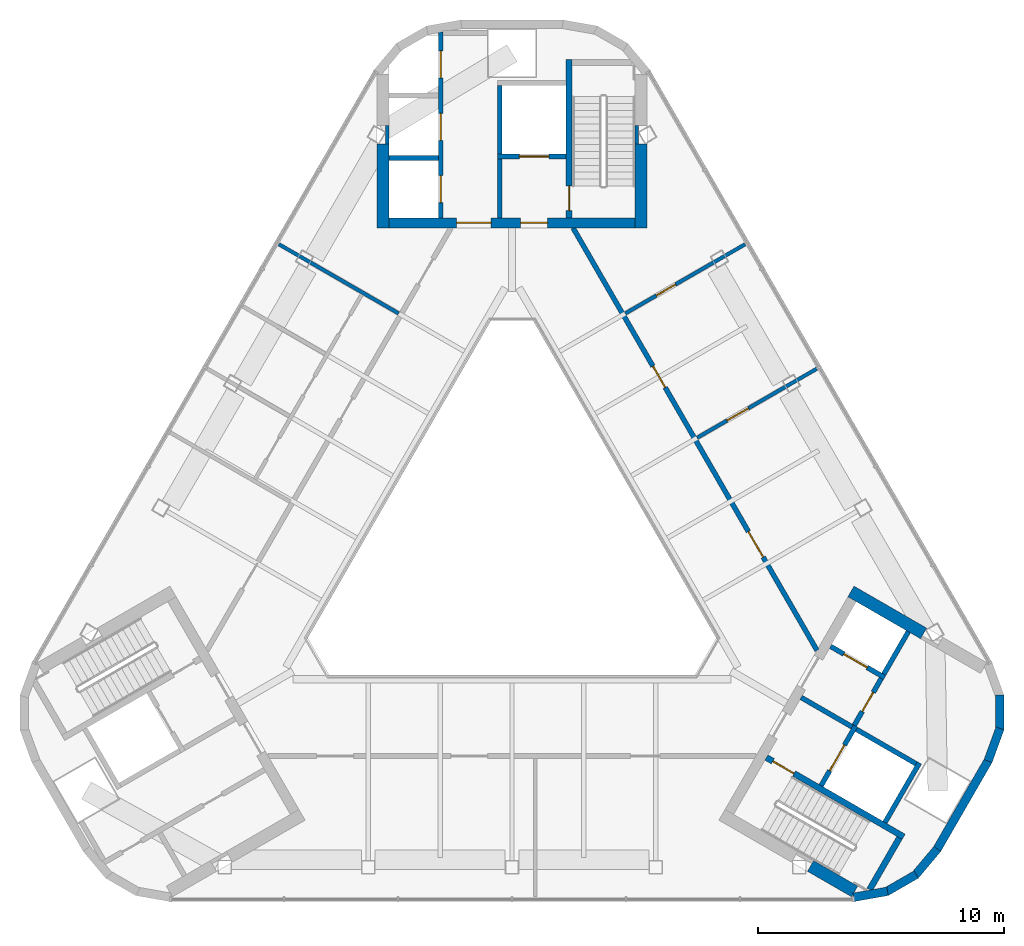
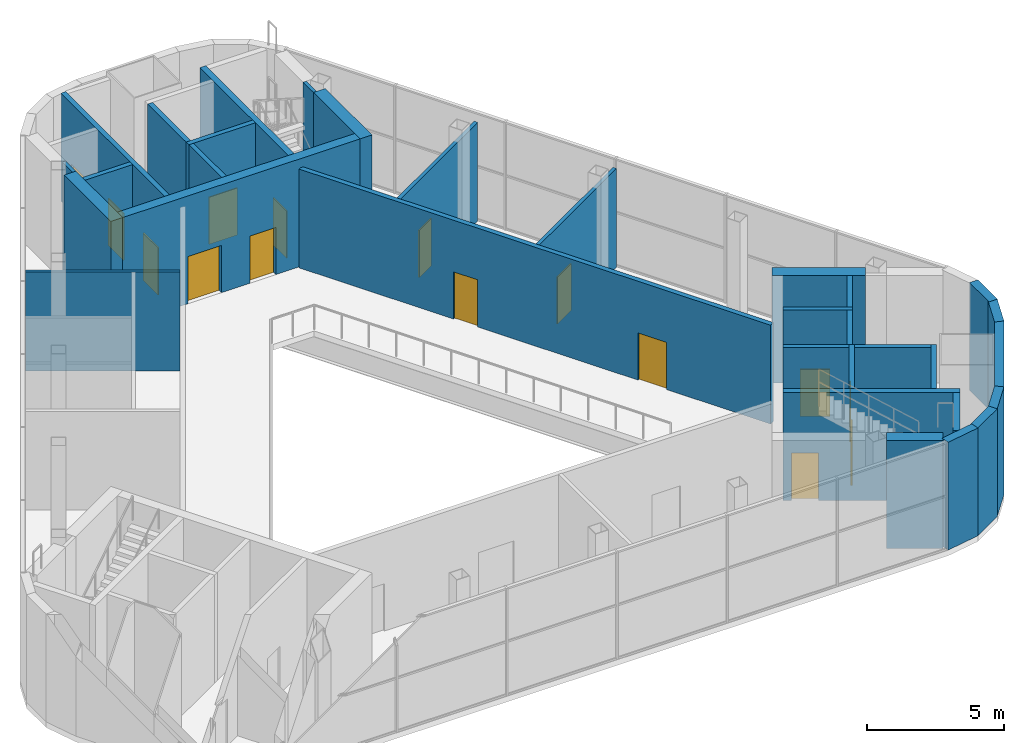
# One storey, part 7 of 11: 32 walls, 15 doors, 15 openings.
"""IFC4 building model written with IfcOpenShell, lengths in metres."""

from ifc_helpers import new_model, si_unit, direction, frame, frame_2d, origin, place, context, subcontext, project, spatial, rectangle, extrude, material, layer, layer_set, type_object, element, fill, save


model = new_model("IFC4")

# Units and contexts
model_context = context("Model", 3, precision=1e-05, world=origin(), true_north=direction((0.0, 1.0)))
body_context = subcontext(model_context, "Body", "Model", "MODEL_VIEW")
ifc_project = project(units=[si_unit("LENGTHUNIT", "METRE"), si_unit("AREAUNIT", "SQUARE_METRE"), si_unit("VOLUMEUNIT", "CUBIC_METRE"), si_unit("PLANEANGLEUNIT", "RADIAN"), si_unit("MASSUNIT", "GRAM", prefix="KILO")], contexts=[model_context])

# Site, building, storey
site_placement = place(None, origin())
site = spatial("IfcSite", under=ifc_project, at=site_placement, CompositionType="ELEMENT")
building_placement = place(site_placement, origin())
building = spatial("IfcBuilding", under=site, at=building_placement, Name="Apuvela Tower Hotel", CompositionType="ELEMENT")
storey_placement = place(building_placement, frame((0.0, 0.0, 338.300048828125)))
storey = spatial("IfcBuildingStorey", under=building, at=storey_placement, Name="L84", CompositionType="ELEMENT", Elevation=338.300048828125)

# Walls
ifc_material_1 = material(Name="Concrete C50/60", Category="concrete")
ifc_layer_1 = layer(ifc_material_1, 0.139892578125)
ifc_layer_set_1 = layer_set([ifc_layer_1], Name="COR-WALL-CORE-140")
wall_type_1 = type_object("IfcWallType", Name="COR-WALL-CORE-140", PredefinedType="SHEAR", material=ifc_layer_set_1)
for number, where, z_axis, x_axis, name in (
    (1, (5.070068359375, 16.31298828125, 0.0), (0.0, 0.0, 1.0), (0.0, 1.0, 0.0), "Core wall N"),
    (2, (-5.070068359375, 16.31298828125, 0.0), (0.0, 0.0, 1.0), (0.0, 1.0, 0.0), "Core wall N"),
):
    element("IfcWall", number, at=place(storey_placement, frame(where, z_axis=z_axis, x_axis=x_axis)), inside=storey, type_object=wall_type_1, Name=name, PredefinedType="SHEAR", context=body_context, shape_type="SweptSolid", body=[
        extrude(rectangle(XDim=0.75146484375, YDim=0.139892578125, at=frame_2d((0.375732421875, 0.0))), origin(), (0.0, 0.0, 1.0), 4.800048828125),
    ])

# Wall, openings, doors
ifc_layer_2 = layer(ifc_material_1, 0.39990234375)
ifc_layer_set_2 = layer_set([ifc_layer_2], Name="COR-WALL-CORE-400")
wall_type_2 = type_object("IfcWallType", Name="COR-WALL-CORE-400", PredefinedType="SHEAR", material=ifc_layer_set_2)
wall_1_placement = place(storey_placement, frame((5.0, 13.10009765625, 0.0), z_axis=(0.0, 0.0, 1.0), x_axis=(-1.0, 0.0, 0.0)))
wall_1 = element("IfcWall", 3, at=wall_1_placement, inside=storey, type_object=wall_type_2, Name="Core wall N", PredefinedType="SHEAR", context=body_context, shape_type="SweptSolid", body=[
    extrude(rectangle(XDim=10.0, YDim=0.39990234375, at=frame_2d((5.0, 0.0))), origin(), (0.0, 0.0, 1.0), 4.800048828125),
])
opening_1_placement = place(wall_1_placement, frame((3.550048828125, 0.0, 0.0)))
opening_1 = element("IfcOpeningElement", 4, at=opening_1_placement, cuts=wall_1, Name="Opening N-FD", PredefinedType="OPENING", context=body_context, shape_type="SweptSolid", body=[
    extrude(rectangle(XDim=1.10009765625, YDim=2.10009765625, at=frame_2d((0.550048828125, 1.050048828125))), frame((0.0, 0.2099609375, 0.0), z_axis=(0.0, -1.0, 0.0), x_axis=(1.0, 0.0, 0.0)), (0.0, 0.0, 1.0), 0.419921875),
])
opening_2_placement = place(wall_1_placement, frame((5.85009765625, 0.0, 0.0)))
opening_2 = element("IfcOpeningElement", 5, at=opening_2_placement, cuts=wall_1, Name="Opening N-GD", PredefinedType="OPENING", context=body_context, shape_type="SweptSolid", body=[
    extrude(rectangle(XDim=1.39990234375, YDim=2.10009765625, at=frame_2d((0.699951171875, 1.050048828125))), frame((0.0, 0.2099609375, 0.0), z_axis=(0.0, -1.0, 0.0), x_axis=(1.0, 0.0, 0.0)), (0.0, 0.0, 1.0), 0.419921875),
])
ifc_material_2 = material(Name="Steel fire door, powder coated", Category="steel")
door_type_1 = type_object("IfcDoorType", Name="COR-FD-1100", OperationType="NOTDEFINED", PredefinedType="DOOR", material=ifc_material_2)
door_1_placement = place(opening_1_placement, frame((1.10009765625, 0.0, 0.0), z_axis=(0.0, 0.0, 1.0), x_axis=(-1.0, 0.0, 0.0)))
door_1 = element("IfcDoor", 6, at=door_1_placement, inside=storey, type_object=door_type_1, Name="Firefighting lobby door N-FD", OperationType="SINGLE_SWING_LEFT", OverallHeight=2.10009765625, OverallWidth=1.10009765625, PredefinedType="DOOR", context=body_context, shape_type="SweptSolid", body=[
    extrude(rectangle(XDim=1.10009765625, YDim=2.10009765625, at=frame_2d((0.550048828125, 1.050048828125))), frame((0.0, 0.02490234375, 0.0), z_axis=(0.0, -1.0, 0.0), x_axis=(1.0, 0.0, 0.0)), (0.0, 0.0, 1.0), 0.050048828125),
])
fill(opening_1, door_1)
ifc_material_3 = material(Name="Glazed steel fire door", Category="steel")
door_type_2 = type_object("IfcDoorType", Name="COR-GD-1400", OperationType="DOUBLE_DOOR_SINGLE_SWING", PredefinedType="DOOR", material=ifc_material_3)
door_2_placement = place(opening_2_placement, frame((1.39990234375, 0.0, 0.0), z_axis=(0.0, 0.0, 1.0), x_axis=(-1.0, 0.0, 0.0)))
door_2 = element("IfcDoor", 7, at=door_2_placement, inside=storey, type_object=door_type_2, Name="Lift lobby door N-GD", OperationType="DOUBLE_DOOR_SINGLE_SWING", OverallHeight=2.10009765625, OverallWidth=1.39990234375, PredefinedType="DOOR", context=body_context, shape_type="SweptSolid", body=[
    extrude(rectangle(XDim=1.39990234375, YDim=2.10009765625, at=frame_2d((0.699951171875, 1.050048828125))), frame((0.0, 0.02490234375, 0.0), z_axis=(0.0, -1.0, 0.0), x_axis=(1.0, 0.0, 0.0)), (0.0, 0.0, 1.0), 0.050048828125),
])
fill(opening_2, door_2)

# Walls
ifc_layer_3 = layer(ifc_material_1, 0.5)
ifc_layer_set_3 = layer_set([ifc_layer_3], Name="COR-WALL-CORE-500")
wall_type_3 = type_object("IfcWallType", Name="COR-WALL-CORE-500", PredefinedType="SHEAR", material=ifc_layer_set_3)
for number, where, z_axis, x_axis, name in (
    (8, (5.25, 12.89990234375, 0.0), (0.0, 0.0, 1.0), (0.0, 1.0, 0.0), "Core wall N"),
    (9, (-5.25, 12.89990234375, 0.0), (0.0, 0.0, 1.0), (0.0, 1.0, 0.0), "Core wall N"),
):
    element("IfcWall", number, at=place(storey_placement, frame(where, z_axis=z_axis, x_axis=x_axis)), inside=storey, type_object=wall_type_3, Name=name, PredefinedType="SHEAR", context=body_context, shape_type="SweptSolid", body=[
        extrude(rectangle(XDim=3.4130859375, YDim=0.5, at=frame_2d((1.70654296875, 0.0))), origin(), (0.0, 0.0, 1.0), 4.800048828125),
    ])
wall_2_placement = place(storey_placement, frame((12.153076171875, -13.078857421875, 0.0), z_axis=(0.0, 0.0, 1.0), x_axis=(0.866044274939, -0.499967312778, 0.0)))
element("IfcWall", 10, at=wall_2_placement, inside=storey, type_object=wall_type_3, Name="Core wall SE", PredefinedType="SHEAR", context=body_context, shape_type="SweptSolid", body=[
    extrude(rectangle(XDim=2.071533203125, YDim=0.5, at=frame_2d((1.03564453125, 0.0))), origin(), (0.0, 0.0, 1.0), 4.800048828125),
])
wall_3_placement = place(storey_placement, frame((13.796630859375, -1.9033203125, 0.0), z_axis=(0.0, 0.0, 1.0), x_axis=(0.866024775297, -0.500001088571, 0.0)))
element("IfcWall", 11, at=wall_3_placement, inside=storey, type_object=wall_type_3, Name="Core wall SE", PredefinedType="SHEAR", context=body_context, shape_type="SweptSolid", body=[
    extrude(rectangle(XDim=3.4130859375, YDim=0.5, at=frame_2d((1.70654296875, 0.0))), origin(), (0.0, 0.0, 1.0), 4.800048828125),
])

# Wall, opening, door
ifc_layer_4 = layer(ifc_material_1, 0.199951171875)
ifc_layer_set_4 = layer_set([ifc_layer_4], Name="COR-WALL-SHAFT-200")
wall_type_4 = type_object("IfcWallType", Name="COR-WALL-SHAFT-200", PredefinedType="SHEAR", material=ifc_layer_set_4)
wall_4_placement = place(storey_placement, frame((2.199951171875, 15.800048828125, 0.0), z_axis=(0.0, 0.0, 1.0), x_axis=(-1.0, 0.0, 0.0)))
wall_4 = element("IfcWall", 12, at=wall_4_placement, inside=storey, type_object=wall_type_4, Name="Shaft wall N", PredefinedType="SHEAR", context=body_context, shape_type="SweptSolid", body=[
    extrude(rectangle(XDim=2.800048828125, YDim=0.199951171875, at=frame_2d((1.39990234375, 0.0))), origin(), (0.0, 0.0, 1.0), 4.800048828125),
])
opening_3_placement = place(wall_4_placement, frame((0.699951171875, 0.0, 0.0)))
opening_3 = element("IfcOpeningElement", 13, at=opening_3_placement, cuts=wall_4, Name="Opening N-LD-FS1", PredefinedType="OPENING", context=body_context, shape_type="SweptSolid", body=[
    extrude(rectangle(XDim=1.199951171875, YDim=2.10009765625, at=frame_2d((0.60009765625, 1.050048828125))), frame((0.0, 0.10986328125, 0.0), z_axis=(0.0, -1.0, 0.0), x_axis=(1.0, 0.0, 0.0)), (0.0, 0.0, 1.0), 0.219970703125),
])
ifc_material_4 = material(Name="Stainless steel lift landing door", Category="steel")
door_type_3 = type_object("IfcDoorType", Name="COR-LD-1200", OperationType="DOUBLE_DOOR_SLIDING", PredefinedType="DOOR", material=ifc_material_4)
door_3_placement = place(opening_3_placement, origin())
door_3 = element("IfcDoor", 14, at=door_3_placement, inside=storey, type_object=door_type_3, Name="Lift landing door N-LD-FS1", OperationType="DOUBLE_DOOR_SLIDING", OverallHeight=2.10009765625, OverallWidth=1.199951171875, PredefinedType="DOOR", context=body_context, shape_type="SweptSolid", body=[
    extrude(rectangle(XDim=1.199951171875, YDim=2.10009765625, at=frame_2d((0.60009765625, 1.050048828125))), frame((0.0, 0.02490234375, 0.0), z_axis=(0.0, -1.0, 0.0), x_axis=(1.0, 0.0, 0.0)), (0.0, 0.0, 1.0), 0.050048828125),
])
fill(opening_3, door_3)

# Walls
wall_5_placement = place(storey_placement, frame((-0.5, 15.89990234375, 0.0), z_axis=(0.0, 0.0, 1.0), x_axis=(0.0, 1.0, 0.0)))
element("IfcWall", 15, at=wall_5_placement, inside=storey, type_object=wall_type_4, Name="Shaft wall N", PredefinedType="SHEAR", context=body_context, shape_type="SweptSolid", body=[
    extrude(rectangle(XDim=2.800048828125, YDim=0.199951171875, at=frame_2d((1.39990234375, 0.0))), origin(), (0.0, 0.0, 1.0), 4.800048828125),
])
wall_6_placement = place(storey_placement, frame((-0.5, 13.300048828125, 0.0), z_axis=(0.0, 0.0, 1.0), x_axis=(0.0, 1.0, 0.0)))
element("IfcWall", 16, at=wall_6_placement, inside=storey, type_object=wall_type_4, Name="Shaft wall N", PredefinedType="SHEAR", context=body_context, shape_type="SweptSolid", body=[
    extrude(rectangle(XDim=2.39990234375, YDim=0.199951171875, at=frame_2d((1.199951171875, 0.0))), origin(), (0.0, 0.0, 1.0), 4.800048828125),
])

# Wall, openings, doors
wall_7_placement = place(storey_placement, frame((-2.89990234375, 13.300048828125, 0.0), z_axis=(0.0, 0.0, 1.0), x_axis=(0.0, 1.0, 0.0)))
wall_7 = element("IfcWall", 17, at=wall_7_placement, inside=storey, type_object=wall_type_4, Name="Shaft wall N", PredefinedType="SHEAR", context=body_context, shape_type="SweptSolid", body=[
    extrude(rectangle(XDim=7.576416015625, YDim=0.199951171875, at=frame_2d((3.7880859375, 0.0))), origin(), (0.0, 0.0, 1.0), 4.800048828125),
])
opening_4_placement = place(wall_7_placement, frame((0.6201171875, 0.0, 0.0)))
opening_4 = element("IfcOpeningElement", 18, at=opening_4_placement, cuts=wall_7, Name="Opening N-LD-HR1", PredefinedType="OPENING", context=body_context, shape_type="SweptSolid", body=[
    extrude(rectangle(XDim=1.10009765625, YDim=2.10009765625, at=frame_2d((0.550048828125, 1.050048828125))), frame((0.0, 0.10986328125, 0.0), z_axis=(0.0, -1.0, 0.0), x_axis=(1.0, 0.0, 0.0)), (0.0, 0.0, 1.0), 0.219970703125),
])
opening_5_placement = place(wall_7_placement, frame((3.159912109375, 0.0, 0.0)))
opening_5 = element("IfcOpeningElement", 19, at=opening_5_placement, cuts=wall_7, Name="Opening N-LD-HR2", PredefinedType="OPENING", context=body_context, shape_type="SweptSolid", body=[
    extrude(rectangle(XDim=1.10009765625, YDim=2.10009765625, at=frame_2d((0.550048828125, 1.050048828125))), frame((0.0, 0.10986328125, 0.0), z_axis=(0.0, -1.0, 0.0), x_axis=(1.0, 0.0, 0.0)), (0.0, 0.0, 1.0), 0.219970703125),
])
opening_6_placement = place(wall_7_placement, frame((5.699951171875, 0.0, 0.0)))
opening_6 = element("IfcOpeningElement", 20, at=opening_6_placement, cuts=wall_7, Name="Opening N-LD-HR4", PredefinedType="OPENING", context=body_context, shape_type="SweptSolid", body=[
    extrude(rectangle(XDim=1.10009765625, YDim=2.10009765625, at=frame_2d((0.550048828125, 1.050048828125))), frame((0.0, 0.10986328125, 0.0), z_axis=(0.0, -1.0, 0.0), x_axis=(1.0, 0.0, 0.0)), (0.0, 0.0, 1.0), 0.219970703125),
])
door_type_4 = type_object("IfcDoorType", Name="COR-LD-1100", OperationType="DOUBLE_DOOR_SLIDING", PredefinedType="DOOR", material=ifc_material_4)
door_4_placement = place(opening_4_placement, origin())
door_4 = element("IfcDoor", 21, at=door_4_placement, inside=storey, type_object=door_type_4, Name="Lift landing door N-LD-HR1", OperationType="DOUBLE_DOOR_SLIDING", OverallHeight=2.10009765625, OverallWidth=1.10009765625, PredefinedType="DOOR", context=body_context, shape_type="SweptSolid", body=[
    extrude(rectangle(XDim=1.10009765625, YDim=2.10009765625, at=frame_2d((0.550048828125, 1.050048828125))), frame((0.0, 0.02490234375, 0.0), z_axis=(0.0, -1.0, 0.0), x_axis=(1.0, 0.0, 0.0)), (0.0, 0.0, 1.0), 0.050048828125),
])
fill(opening_4, door_4)
door_5_placement = place(opening_5_placement, origin())
door_5 = element("IfcDoor", 22, at=door_5_placement, inside=storey, type_object=door_type_4, Name="Lift landing door N-LD-HR2", OperationType="DOUBLE_DOOR_SLIDING", OverallHeight=2.10009765625, OverallWidth=1.10009765625, PredefinedType="DOOR", context=body_context, shape_type="SweptSolid", body=[
    extrude(rectangle(XDim=1.10009765625, YDim=2.10009765625, at=frame_2d((0.550048828125, 1.050048828125))), frame((0.0, 0.02490234375, 0.0), z_axis=(0.0, -1.0, 0.0), x_axis=(1.0, 0.0, 0.0)), (0.0, 0.0, 1.0), 0.050048828125),
])
fill(opening_5, door_5)
door_6_placement = place(opening_6_placement, origin())
door_6 = element("IfcDoor", 23, at=door_6_placement, inside=storey, type_object=door_type_4, Name="Lift landing door N-LD-HR4", OperationType="DOUBLE_DOOR_SLIDING", OverallHeight=2.10009765625, OverallWidth=1.10009765625, PredefinedType="DOOR", context=body_context, shape_type="SweptSolid", body=[
    extrude(rectangle(XDim=1.10009765625, YDim=2.10009765625, at=frame_2d((0.550048828125, 1.050048828125))), frame((0.0, 0.02490234375, 0.0), z_axis=(0.0, -1.0, 0.0), x_axis=(1.0, 0.0, 0.0)), (0.0, 0.0, 1.0), 0.050048828125),
])
fill(opening_6, door_6)

# Walls
wall_8_placement = place(storey_placement, frame((-3.0, 15.739990234375, 0.0), z_axis=(0.0, 0.0, 1.0), x_axis=(-1.0, 0.0, 0.0)))
element("IfcWall", 24, at=wall_8_placement, inside=storey, type_object=wall_type_4, Name="Shaft wall N", PredefinedType="SHEAR", context=body_context, shape_type="SweptSolid", body=[
    extrude(rectangle(XDim=2.0, YDim=0.199951171875, at=frame_2d((1.0, 0.0))), origin(), (0.0, 0.0, 1.0), 4.800048828125),
])
wall_9_placement = place(storey_placement, frame((15.181396484375, -11.305419921875, 0.0), z_axis=(0.0, 0.0, 1.0), x_axis=(0.49994636267, 0.866056369097, 0.0)))
element("IfcWall", 25, at=wall_9_placement, inside=storey, type_object=wall_type_4, Name="Shaft wall SE", PredefinedType="SHEAR", context=body_context, shape_type="SweptSolid", body=[
    extrude(rectangle(XDim=2.800048828125, YDim=0.199951171875, at=frame_2d((1.39990234375, 0.0))), origin(), (0.0, 0.0, 1.0), 4.800048828125),
])

# Wall, opening, door
wall_10_placement = place(storey_placement, frame((12.583251953125, -9.805419921875, 0.0), z_axis=(0.0, 0.0, 1.0), x_axis=(0.49994636267, 0.866056369097, 0.0)))
wall_10 = element("IfcWall", 26, at=wall_10_placement, inside=storey, type_object=wall_type_4, Name="Shaft wall SE", PredefinedType="SHEAR", context=body_context, shape_type="SweptSolid", body=[
    extrude(rectangle(XDim=2.800048828125, YDim=0.199951171875, at=frame_2d((1.39990234375, 0.0))), origin(), (0.0, 0.0, 1.0), 4.800048828125),
])
opening_7_placement = place(wall_10_placement, frame((0.699951171875, 0.0, 0.0)))
opening_7 = element("IfcOpeningElement", 27, at=opening_7_placement, cuts=wall_10, Name="Opening E-LD-FS3", PredefinedType="OPENING", context=body_context, shape_type="SweptSolid", body=[
    extrude(rectangle(XDim=1.199951171875, YDim=2.10009765625, at=frame_2d((0.60009765625, 1.050048828125))), frame((0.0, 0.10986328125, 0.0), z_axis=(0.0, -1.0, 0.0), x_axis=(1.0, 0.0, 0.0)), (0.0, 0.0, 1.0), 0.219970703125),
])
door_7_placement = place(opening_7_placement, origin())
door_7 = element("IfcDoor", 28, at=door_7_placement, inside=storey, type_object=door_type_3, Name="Lift landing door E-LD-FS3", OperationType="DOUBLE_DOOR_SLIDING", OverallHeight=2.10009765625, OverallWidth=1.199951171875, PredefinedType="DOOR", context=body_context, shape_type="SweptSolid", body=[
    extrude(rectangle(XDim=1.199951171875, YDim=2.10009765625, at=frame_2d((0.60009765625, 1.050048828125))), frame((0.0, 0.02490234375, 0.0), z_axis=(0.0, -1.0, 0.0), x_axis=(1.0, 0.0, 0.0)), (0.0, 0.0, 1.0), 0.050048828125),
])
fill(opening_7, door_7)

# Walls
wall_11_placement = place(storey_placement, frame((11.76806640625, -6.217041015625, 0.0), z_axis=(0.0, 0.0, 1.0), x_axis=(0.866050077142, -0.499957262057, 0.0)))
element("IfcWall", 29, at=wall_11_placement, inside=storey, type_object=wall_type_4, Name="Shaft wall SE", PredefinedType="SHEAR", context=body_context, shape_type="SweptSolid", body=[
    extrude(rectangle(XDim=2.400146484375, YDim=0.199951171875, at=frame_2d((1.2001953125, 0.0))), origin(), (0.0, 0.0, 1.0), 4.800048828125),
])
wall_12_placement = place(storey_placement, frame((14.019775390625, -7.51708984375, 0.0), z_axis=(0.0, 0.0, 1.0), x_axis=(0.866034573852, -0.49998411664, 0.0)))
element("IfcWall", 30, at=wall_12_placement, inside=storey, type_object=wall_type_4, Name="Shaft wall SE", PredefinedType="SHEAR", context=body_context, shape_type="SweptSolid", body=[
    extrude(rectangle(XDim=2.7998046875, YDim=0.199951171875, at=frame_2d((1.39990234375, 0.0))), origin(), (0.0, 0.0, 1.0), 4.800048828125),
])

# Wall, opening, door
wall_13_placement = place(storey_placement, frame((12.968017578125, -4.138427734375, 0.0), z_axis=(0.0, 0.0, 1.0), x_axis=(0.866022320763, -0.500005339912, 0.0)))
wall_13 = element("IfcWall", 31, at=wall_13_placement, inside=storey, type_object=wall_type_4, Name="Shaft wall SE", PredefinedType="SHEAR", context=body_context, shape_type="SweptSolid", body=[
    extrude(rectangle(XDim=2.5400390625, YDim=0.199951171875, at=frame_2d((1.27001953125, 0.0))), origin(), (0.0, 0.0, 1.0), 4.800048828125),
])
opening_8_placement = place(wall_13_placement, frame((0.6201171875, 0.0, 0.0)))
opening_8 = element("IfcOpeningElement", 32, at=opening_8_placement, cuts=wall_13, Name="Opening E-LD-HR3", PredefinedType="OPENING", context=body_context, shape_type="SweptSolid", body=[
    extrude(rectangle(XDim=1.10009765625, YDim=2.10009765625, at=frame_2d((0.550048828125, 1.050048828125))), frame((0.0, 0.10986328125, 0.0), z_axis=(0.0, -1.0, 0.0), x_axis=(1.0, 0.0, 0.0)), (0.0, 0.0, 1.0), 0.219970703125),
])
door_8_placement = place(opening_8_placement, origin())
door_8 = element("IfcDoor", 33, at=door_8_placement, inside=storey, type_object=door_type_4, Name="Lift landing door E-LD-HR3", OperationType="DOUBLE_DOOR_SLIDING", OverallHeight=2.10009765625, OverallWidth=1.10009765625, PredefinedType="DOOR", context=body_context, shape_type="SweptSolid", body=[
    extrude(rectangle(XDim=1.10009765625, YDim=2.10009765625, at=frame_2d((0.550048828125, 1.050048828125))), frame((0.0, 0.02490234375, 0.0), z_axis=(0.0, -1.0, 0.0), x_axis=(1.0, 0.0, 0.0)), (0.0, 0.0, 1.0), 0.050048828125),
])
fill(opening_8, door_8)

wall_14_placement = place(storey_placement, frame((13.93115234375, -7.350341796875, 0.0), z_axis=(0.0, 0.0, 1.0), x_axis=(0.50002983664, 0.866008176907, 0.0)))
wall_14 = element("IfcWall", 34, at=wall_14_placement, inside=storey, type_object=wall_type_4, Name="Shaft wall SE", PredefinedType="SHEAR", context=body_context, shape_type="SweptSolid", body=[
    extrude(rectangle(XDim=2.199951171875, YDim=0.199951171875, at=frame_2d((1.10009765625, 0.0))), origin(), (0.0, 0.0, 1.0), 4.800048828125),
])
opening_9_placement = place(wall_14_placement, frame((0.64990234375, 0.0, 0.0)))
opening_9 = element("IfcOpeningElement", 35, at=opening_9_placement, cuts=wall_14, Name="Opening E-RE2", PredefinedType="OPENING", context=body_context, shape_type="SweptSolid", body=[
    extrude(rectangle(XDim=0.89990234375, YDim=2.10009765625, at=frame_2d((0.449951171875, 1.050048828125))), frame((0.0, 0.10986328125, 0.0), z_axis=(0.0, -1.0, 0.0), x_axis=(1.0, 0.0, 0.0)), (0.0, 0.0, 1.0), 0.219970703125),
])
door_type_5 = type_object("IfcDoorType", Name="COR-DR-900", OperationType="NOTDEFINED", PredefinedType="DOOR", material=ifc_material_2)
door_9_placement = place(opening_9_placement, frame((0.89990234375, 0.0, 0.0), z_axis=(0.0, 0.0, 1.0), x_axis=(-1.0, 0.0, 0.0)))
door_9 = element("IfcDoor", 36, at=door_9_placement, inside=storey, type_object=door_type_5, Name="Store door E-RE2", OperationType="SINGLE_SWING_RIGHT", OverallHeight=2.10009765625, OverallWidth=0.89990234375, PredefinedType="DOOR", context=body_context, shape_type="SweptSolid", body=[
    extrude(rectangle(XDim=0.89990234375, YDim=2.10009765625, at=frame_2d((0.449951171875, 1.050048828125))), frame((0.0, 0.02490234375, 0.0), z_axis=(0.0, -1.0, 0.0), x_axis=(1.0, 0.0, 0.0)), (0.0, 0.0, 1.0), 0.050048828125),
])
fill(opening_9, door_9)

# Wall
wall_15_placement = place(storey_placement, frame((15.131103515625, -5.27197265625, 0.0), z_axis=(0.0, 0.0, 1.0), x_axis=(0.499972520799, 0.866041268327, 0.0)))
element("IfcWall", 37, at=wall_15_placement, inside=storey, type_object=wall_type_4, Name="Shaft wall SE", PredefinedType="SHEAR", context=body_context, shape_type="SweptSolid", body=[
    extrude(rectangle(XDim=2.0, YDim=0.199951171875, at=frame_2d((1.0, 0.0))), origin(), (0.0, 0.0, 1.0), 4.800048828125),
])

# Wall, opening, door
ifc_layer_5 = layer(ifc_material_1, 0.25)
ifc_layer_set_5 = layer_set([ifc_layer_5], Name="COR-WALL-STAIR-250")
wall_type_5 = type_object("IfcWallType", Name="COR-WALL-STAIR-250", PredefinedType="SHEAR", material=ifc_layer_set_5)
wall_16_placement = place(storey_placement, frame((2.324951171875, 13.300048828125, 0.0), z_axis=(0.0, 0.0, 1.0), x_axis=(0.0, 1.0, 0.0)))
wall_16 = element("IfcWall", 38, at=wall_16_placement, inside=storey, type_object=wall_type_5, Name="Stair wall N", PredefinedType="SHEAR", context=body_context, shape_type="SweptSolid", body=[
    extrude(rectangle(XDim=6.449951171875, YDim=0.25, at=frame_2d((3.22509765625, 0.0))), origin(), (0.0, 0.0, 1.0), 4.800048828125),
])
opening_10_placement = place(wall_16_placement, frame((0.300048828125, 0.0, 0.0)))
opening_10 = element("IfcOpeningElement", 39, at=opening_10_placement, cuts=wall_16, Name="Opening N-SD", PredefinedType="OPENING", context=body_context, shape_type="SweptSolid", body=[
    extrude(rectangle(XDim=1.0, YDim=2.10009765625, at=frame_2d((0.5, 1.050048828125))), frame((0.0, 0.135009765625, 0.0), z_axis=(0.0, -1.0, 0.0), x_axis=(1.0, 0.0, 0.0)), (0.0, 0.0, 1.0), 0.27001953125),
])
door_type_6 = type_object("IfcDoorType", Name="COR-SD-1000", OperationType="NOTDEFINED", PredefinedType="DOOR", material=ifc_material_2)
door_10_placement = place(opening_10_placement, frame((1.0, 0.0, 0.0), z_axis=(0.0, 0.0, 1.0), x_axis=(-1.0, 0.0, 0.0)))
door_10 = element("IfcDoor", 40, at=door_10_placement, inside=storey, type_object=door_type_6, Name="Stair door N-SD", OperationType="SINGLE_SWING_LEFT", OverallHeight=2.10009765625, OverallWidth=1.0, PredefinedType="DOOR", context=body_context, shape_type="SweptSolid", body=[
    extrude(rectangle(XDim=1.0, YDim=2.10009765625, at=frame_2d((0.5, 1.050048828125))), frame((0.0, 0.02490234375, 0.0), z_axis=(0.0, -1.0, 0.0), x_axis=(1.0, 0.0, 0.0)), (0.0, 0.0, 1.0), 0.050048828125),
])
fill(opening_10, door_10)

wall_17_placement = place(storey_placement, frame((10.355712890625, -8.66357421875, 0.0), z_axis=(0.0, 0.0, 1.0), x_axis=(0.866028629588, -0.499994412703, 0.0)))
wall_17 = element("IfcWall", 41, at=wall_17_placement, inside=storey, type_object=wall_type_5, Name="Stair wall SE", PredefinedType="SHEAR", context=body_context, shape_type="SweptSolid", body=[
    extrude(rectangle(XDim=6.44970703125, YDim=0.25, at=frame_2d((3.224853515625, 0.0))), origin(), (0.0, 0.0, 1.0), 4.800048828125),
])
opening_11_placement = place(wall_17_placement, frame((0.300048828125, 0.0, 0.0)))
opening_11 = element("IfcOpeningElement", 42, at=opening_11_placement, cuts=wall_17, Name="Opening E-SD", PredefinedType="OPENING", context=body_context, shape_type="SweptSolid", body=[
    extrude(rectangle(XDim=1.0, YDim=2.10009765625, at=frame_2d((0.5, 1.050048828125))), frame((0.0, 0.135009765625, 0.0), z_axis=(0.0, -1.0, 0.0), x_axis=(1.0, 0.0, 0.0)), (0.0, 0.0, 1.0), 0.27001953125),
])
door_11_placement = place(opening_11_placement, frame((1.0, 0.0, 0.0), z_axis=(0.0, 0.0, 1.0), x_axis=(-1.0, 0.0, 0.0)))
door_11 = element("IfcDoor", 43, at=door_11_placement, inside=storey, type_object=door_type_6, Name="Stair door E-SD", OperationType="SINGLE_SWING_LEFT", OverallHeight=2.10009765625, OverallWidth=1.0, PredefinedType="DOOR", context=body_context, shape_type="SweptSolid", body=[
    extrude(rectangle(XDim=1.0, YDim=2.10009765625, at=frame_2d((0.5, 1.050048828125))), frame((0.0, 0.02490234375, 0.0), z_axis=(0.0, -1.0, 0.0), x_axis=(1.0, 0.0, 0.0)), (0.0, 0.0, 1.0), 0.050048828125),
])
fill(opening_11, door_11)

# Walls
wall_18_placement = place(storey_placement, frame((14.5556640625, -14.038818359375, 0.0), z_axis=(0.0, 0.0, 1.0), x_axis=(0.500018134935, 0.866014933322, 0.0)))
element("IfcWall", 44, at=wall_18_placement, inside=storey, type_object=wall_type_5, Name="Stair wall SE", PredefinedType="SHEAR", context=body_context, shape_type="SweptSolid", body=[
    extrude(rectangle(XDim=2.43017578125, YDim=0.25, at=frame_2d((1.215087890625, 0.0))), origin(), (0.0, 0.0, 1.0), 4.800048828125),
])
ifc_material_5 = material(Name="Concrete C40/50, dark pigmented precast panel", Category="concrete")
ifc_layer_6 = layer(ifc_material_5, 0.35009765625)
ifc_layer_set_6 = layer_set([ifc_layer_6], Name="ENV-WALL-350")
wall_type_6 = type_object("IfcWallType", Name="ENV-WALL-350", PredefinedType="SOLIDWALL", material=ifc_layer_set_6)
for number, where, z_axis, x_axis, name in (
    (45, (13.893310546875, -14.35400390625, 0.0), (0.0, 0.0, 1.0), (0.984790512781, 0.173745923511, 0.0), "External wall L84-16"),
    (46, (15.228271484375, -14.129150390625, 0.0), (0.0, 0.0, 1.0), (0.866013007135, 0.500021471012, 0.0), "External wall L84-17"),
    (47, (16.40576171875, -13.46142578125, 0.0), (0.0, 0.0, 1.0), (0.642847724217, 0.765993997019, 0.0), "External wall L84-18"),
):
    element("IfcWall", number, at=place(storey_placement, frame(where, z_axis=z_axis, x_axis=x_axis)), inside=storey, type_object=wall_type_6, Name=name, PredefinedType="SOLIDWALL", context=body_context, shape_type="SweptSolid", body=[
        extrude(rectangle(XDim=1.41357421875, YDim=0.35009765625, at=frame_2d((0.706787109375, 0.0))), origin(), (0.0, 0.0, 1.0), 4.800048828125),
    ])
wall_19_placement = place(storey_placement, frame((17.296875, -12.40380859375, 0.0), z_axis=(0.0, 0.0, 1.0), x_axis=(0.499983227221, 0.866035087336, 0.0)))
element("IfcWall", 48, at=wall_19_placement, inside=storey, type_object=wall_type_6, Name="External wall L84-19", PredefinedType="SOLIDWALL", context=body_context, shape_type="SweptSolid", body=[
    extrude(rectangle(XDim=4.187255859375, YDim=0.35009765625, at=frame_2d((2.09375, 0.0))), origin(), (0.0, 0.0, 1.0), 4.800048828125),
])
wall_20_placement = place(storey_placement, frame((19.37744140625, -8.805419921875, 0.0), z_axis=(0.0, 0.0, 1.0), x_axis=(0.341964928618, 0.939712715459, 0.0)))
element("IfcWall", 49, at=wall_20_placement, inside=storey, type_object=wall_type_6, Name="External wall L84-20", PredefinedType="SOLIDWALL", context=body_context, shape_type="SweptSolid", body=[
    extrude(rectangle(XDim=1.41357421875, YDim=0.35009765625, at=frame_2d((0.706787109375, 0.0))), origin(), (0.0, 0.0, 1.0), 4.800048828125),
])
wall_21_placement = place(storey_placement, frame((19.850341796875, -7.536865234375, 0.0), z_axis=(0.0, 0.0, 1.0), x_axis=(0.0, 1.0, 0.0)))
element("IfcWall", 50, at=wall_21_placement, inside=storey, type_object=wall_type_6, Name="External wall L84-21", PredefinedType="SOLIDWALL", context=body_context, shape_type="SweptSolid", body=[
    extrude(rectangle(XDim=1.413330078125, YDim=0.35009765625, at=frame_2d((0.70654296875, 0.0))), origin(), (0.0, 0.0, 1.0), 4.800048828125),
])

# Wall, openings, doors
ifc_material_6 = material(Name="Fire-rated gypsum board partition on steel stud", Category="steel")
ifc_layer_7 = layer(ifc_material_6, 0.199951171875)
ifc_layer_set_7 = layer_set([ifc_layer_7], Name="SPC-WALL-CORRIDOR")
wall_type_7 = type_object("IfcWallType", Name="SPC-WALL-CORRIDOR", PredefinedType="PARTITIONING", material=ifc_layer_set_7)
wall_22_placement = place(storey_placement, frame((12.4130859375, -4.300048828125, 0.0), z_axis=(0.0, 0.0, 1.0), x_axis=(-0.50000478328, 0.866022642139, 0.0)))
wall_22 = element("IfcWall", 51, at=wall_22_placement, inside=storey, type_object=wall_type_7, Name="Wall L84-NE-CW", PredefinedType="PARTITIONING", context=body_context, shape_type="SweptSolid", body=[
    extrude(rectangle(XDim=19.861083984375, YDim=0.199951171875, at=frame_2d((9.9306640625, 0.0))), origin(), (0.0, 0.0, 1.0), 4.39990234375),
])
opening_12_placement = place(wall_22_placement, frame((4.383544921875, 0.0, 0.0)))
opening_12 = element("IfcOpeningElement", 52, at=opening_12_placement, cuts=wall_22, Name="Opening L84-S01", PredefinedType="OPENING", context=body_context, shape_type="SweptSolid", body=[
    extrude(rectangle(XDim=1.199951171875, YDim=2.10009765625, at=frame_2d((0.60009765625, 1.050048828125))), frame((0.0, 0.10986328125, 0.0), z_axis=(0.0, -1.0, 0.0), x_axis=(1.0, 0.0, 0.0)), (0.0, 0.0, 1.0), 0.219970703125),
])
opening_13_placement = place(wall_22_placement, frame((12.353515625, 0.0, 0.0)))
opening_13 = element("IfcOpeningElement", 53, at=opening_13_placement, cuts=wall_22, Name="Opening L84-S03", PredefinedType="OPENING", context=body_context, shape_type="SweptSolid", body=[
    extrude(rectangle(XDim=1.0, YDim=2.10009765625, at=frame_2d((0.5, 1.050048828125))), frame((0.0, 0.10986328125, 0.0), z_axis=(0.0, -1.0, 0.0), x_axis=(1.0, 0.0, 0.0)), (0.0, 0.0, 1.0), 0.219970703125),
])
ifc_material_7 = material(Name="Fire-rated hardwood veneer door leaf", Category="wood")
door_type_7 = type_object("IfcDoorType", Name="SPC-DOOR-1000-FD", OperationType="NOTDEFINED", PredefinedType="DOOR", material=ifc_material_7)
door_12_placement = place(opening_13_placement, frame((1.0, 0.0, 0.0), z_axis=(0.0, 0.0, 1.0), x_axis=(-1.0, 0.0, 0.0)))
door_12 = element("IfcDoor", 54, at=door_12_placement, inside=storey, type_object=door_type_7, Name="L84-S03", OperationType="SINGLE_SWING_RIGHT", OverallHeight=2.10009765625, OverallWidth=1.0, PredefinedType="DOOR", context=body_context, shape_type="SweptSolid", body=[
    extrude(rectangle(XDim=1.0, YDim=2.10009765625, at=frame_2d((0.5, 1.050048828125))), frame((0.0, 0.02490234375, 0.0), z_axis=(0.0, -1.0, 0.0), x_axis=(1.0, 0.0, 0.0)), (0.0, 0.0, 1.0), 0.050048828125),
])
fill(opening_13, door_12)
door_type_8 = type_object("IfcDoorType", Name="SPC-DOOR-1200-FD", OperationType="NOTDEFINED", PredefinedType="DOOR", material=ifc_material_7)
door_13_placement = place(opening_12_placement, frame((1.199951171875, 0.0, 0.0), z_axis=(0.0, 0.0, 1.0), x_axis=(-1.0, 0.0, 0.0)))
door_13 = element("IfcDoor", 55, at=door_13_placement, inside=storey, type_object=door_type_8, Name="L84-S01", OperationType="SINGLE_SWING_RIGHT", OverallHeight=2.10009765625, OverallWidth=1.199951171875, PredefinedType="DOOR", context=body_context, shape_type="SweptSolid", body=[
    extrude(rectangle(XDim=1.199951171875, YDim=2.10009765625, at=frame_2d((0.60009765625, 1.050048828125))), frame((0.0, 0.02490234375, 0.0), z_axis=(0.0, -1.0, 0.0), x_axis=(1.0, 0.0, 0.0)), (0.0, 0.0, 1.0), 0.050048828125),
])
fill(opening_12, door_13)

# Wall, opening, door
ifc_material_8 = material(Name="Gypsum board partition on steel stud", Category="steel")
ifc_layer_8 = layer(ifc_material_8, 0.14990234375)
ifc_layer_set_8 = layer_set([ifc_layer_8], Name="SPC-WALL-PARTITION")
wall_type_8 = type_object("IfcWallType", Name="SPC-WALL-PARTITION", PredefinedType="PARTITIONING", material=ifc_layer_set_8)
wall_23_placement = place(storey_placement, frame((12.406982421875, 7.1630859375, 0.0), z_axis=(0.0, 0.0, 1.0), x_axis=(-0.866039621134, -0.49997537402, 0.0)))
wall_23 = element("IfcWall", 56, at=wall_23_placement, inside=storey, type_object=wall_type_8, Name="Wall L84-NE-P01", PredefinedType="PARTITIONING", context=body_context, shape_type="SweptSolid", body=[
    extrude(rectangle(XDim=5.626220703125, YDim=0.14990234375, at=frame_2d((2.81298828125, 0.0))), origin(), (0.0, 0.0, 1.0), 4.39990234375),
])
opening_14_placement = place(wall_23_placement, frame((3.217529296875, 0.0, 0.0)))
opening_14 = element("IfcOpeningElement", 57, at=opening_14_placement, cuts=wall_23, Name="Opening L84-S02", PredefinedType="OPENING", context=body_context, shape_type="SweptSolid", body=[
    extrude(rectangle(XDim=1.0, YDim=2.10009765625, at=frame_2d((0.5, 1.050048828125))), frame((0.0, 0.0849609375, 0.0), z_axis=(0.0, -1.0, 0.0), x_axis=(1.0, 0.0, 0.0)), (0.0, 0.0, 1.0), 0.169921875),
])
ifc_material_9 = material(Name="Hardwood veneer door leaf", Category="wood")
door_type_9 = type_object("IfcDoorType", Name="SPC-DOOR-1000", OperationType="NOTDEFINED", PredefinedType="DOOR", material=ifc_material_9)
door_14_placement = place(opening_14_placement, frame((1.0, 0.0, 0.0), z_axis=(0.0, 0.0, 1.0), x_axis=(-1.0, 0.0, 0.0)))
door_14 = element("IfcDoor", 58, at=door_14_placement, inside=storey, type_object=door_type_9, Name="L84-S02", OperationType="SINGLE_SWING_LEFT", OverallHeight=2.10009765625, OverallWidth=1.0, PredefinedType="DOOR", context=body_context, shape_type="SweptSolid", body=[
    extrude(rectangle(XDim=1.0, YDim=2.10009765625, at=frame_2d((0.5, 1.050048828125))), frame((0.0, 0.02490234375, 0.0), z_axis=(0.0, -1.0, 0.0), x_axis=(1.0, 0.0, 0.0)), (0.0, 0.0, 1.0), 0.050048828125),
])
fill(opening_14, door_14)

wall_24_placement = place(storey_placement, frame((9.48388671875, 12.225830078125, 0.0), z_axis=(0.0, 0.0, 1.0), x_axis=(-0.866039621134, -0.49997537402, 0.0)))
wall_24 = element("IfcWall", 59, at=wall_24_placement, inside=storey, type_object=wall_type_8, Name="Wall L84-NE-P02", PredefinedType="PARTITIONING", context=body_context, shape_type="SweptSolid", body=[
    extrude(rectangle(XDim=5.626220703125, YDim=0.14990234375, at=frame_2d((2.81298828125, 0.0))), origin(), (0.0, 0.0, 1.0), 4.39990234375),
])
opening_15_placement = place(wall_24_placement, frame((3.267578125, 0.0, 0.0)))
opening_15 = element("IfcOpeningElement", 60, at=opening_15_placement, cuts=wall_24, Name="Opening L84-S04", PredefinedType="OPENING", context=body_context, shape_type="SweptSolid", body=[
    extrude(rectangle(XDim=0.89990234375, YDim=2.10009765625, at=frame_2d((0.449951171875, 1.050048828125))), frame((0.0, 0.0849609375, 0.0), z_axis=(0.0, -1.0, 0.0), x_axis=(1.0, 0.0, 0.0)), (0.0, 0.0, 1.0), 0.169921875),
])
door_type_10 = type_object("IfcDoorType", Name="SPC-DOOR-900", OperationType="NOTDEFINED", PredefinedType="DOOR", material=ifc_material_9)
door_15_placement = place(opening_15_placement, frame((0.89990234375, 0.0, 0.0), z_axis=(0.0, 0.0, 1.0), x_axis=(-1.0, 0.0, 0.0)))
door_15 = element("IfcDoor", 61, at=door_15_placement, inside=storey, type_object=door_type_10, Name="L84-S04", OperationType="SINGLE_SWING_LEFT", OverallHeight=2.10009765625, OverallWidth=0.89990234375, PredefinedType="DOOR", context=body_context, shape_type="SweptSolid", body=[
    extrude(rectangle(XDim=0.89990234375, YDim=2.10009765625, at=frame_2d((0.449951171875, 1.050048828125))), frame((0.0, 0.02490234375, 0.0), z_axis=(0.0, -1.0, 0.0), x_axis=(1.0, 0.0, 0.0)), (0.0, 0.0, 1.0), 0.050048828125),
])
fill(opening_15, door_15)

# Wall
wall_25_placement = place(storey_placement, frame((-9.48388671875, 12.225830078125, 0.0), z_axis=(0.0, 0.0, 1.0), x_axis=(0.866039621134, -0.49997537402, 0.0)))
element("IfcWall", 62, at=wall_25_placement, inside=storey, type_object=wall_type_8, Name="Wall L84-NW-P02", PredefinedType="PARTITIONING", context=body_context, shape_type="SweptSolid", body=[
    extrude(rectangle(XDim=5.626220703125, YDim=0.14990234375, at=frame_2d((2.81298828125, 0.0))), origin(), (0.0, 0.0, 1.0), 4.39990234375),
])

save(model, "model.ifc")
